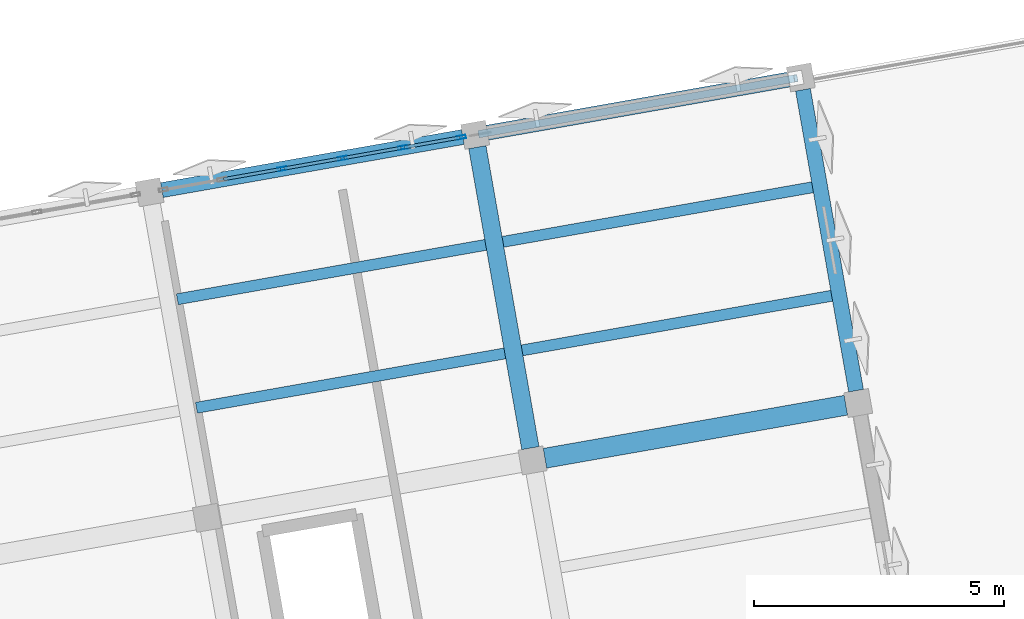
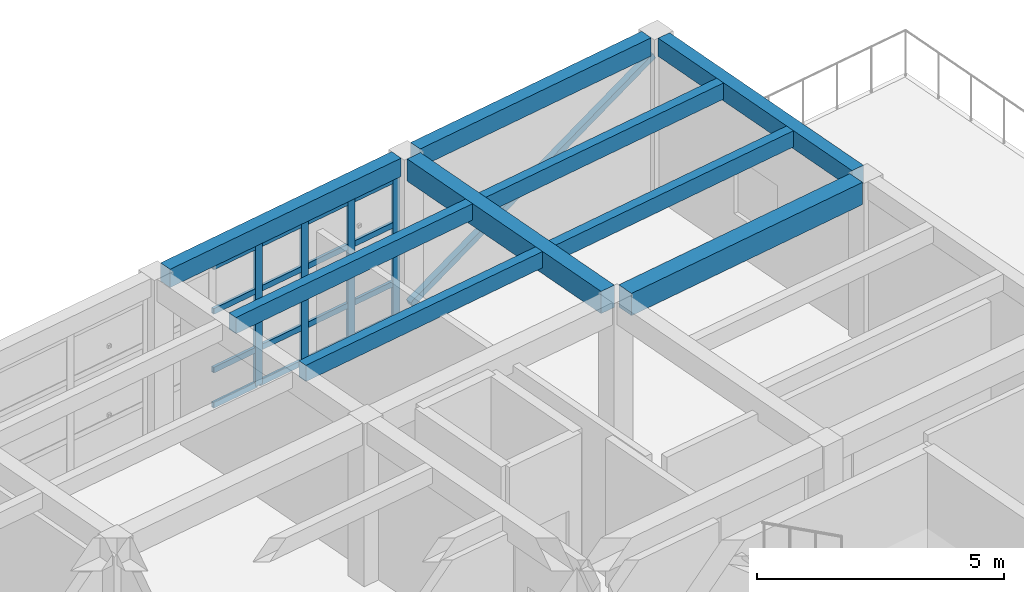
# One storey, part 7 of 13: 21 members, 9 beams, 1 element without a shape of its own.
"""IFC4 building model written with IfcOpenShell, lengths in metres."""

from ifc_helpers import new_model, si_unit, direction, frame, origin, origin_2d, place, context, subcontext, project, spatial, rectangle, hollow_rectangle, extrude, material, layer, layer_set, material_profile, profile_set, type_object, element, aggregate, save


model = new_model("IFC4")

# Units and contexts
model_context = context("Model", 3, precision=1e-05, world=origin(), true_north=direction((0.0, 1.0)))
body_context = subcontext(model_context, "Body", "Model", "MODEL_VIEW")
ifc_project = project(units=[si_unit("LENGTHUNIT", "METRE"), si_unit("AREAUNIT", "SQUARE_METRE"), si_unit("VOLUMEUNIT", "CUBIC_METRE"), si_unit("PLANEANGLEUNIT", "RADIAN"), si_unit("MASSUNIT", "GRAM", prefix="KILO")], contexts=[model_context])

# Site, building, storey
site_placement = place(None, origin())
site = spatial("IfcSite", under=ifc_project, at=site_placement, CompositionType="ELEMENT")
building_placement = place(site_placement, origin())
building = spatial("IfcBuilding", under=site, at=building_placement, Name="Kharisveld Research Institute", CompositionType="ELEMENT")
storey_placement = place(building_placement, frame((0.0, 0.0, 45.0)))
storey = spatial("IfcBuildingStorey", under=building, at=storey_placement, Name="L10", CompositionType="ELEMENT", Elevation=45.0)

# Beams
ifc_material_1 = material(Name="Concrete C40/50", Category="concrete")
ifc_material_profile_1 = material_profile(ifc_material_1, rectangle(XDim=0.35009765625, YDim=0.550048828125, at=origin_2d()))
ifc_profile_set_1 = profile_set([ifc_material_profile_1], Name="Concrete C40/50")
beam_type_1 = type_object("IfcBeamType", Name="BM_RC_350x550", PredefinedType="BEAM", material=ifc_profile_set_1)
beam_1_placement = place(storey_placement, frame((22.363525390625, 51.69384765625, 3.7451171875), z_axis=(-0.173620940611, 0.984812555252, 0.0), x_axis=(-0.984812555252, -0.173620940611, 0.0)))
element("IfcBeam", 1, at=beam_1_placement, inside=storey, type_object=beam_type_1, Name="BM:V1:L10:V3_2", PredefinedType="BEAM", context=body_context, shape_type="SweptSolid", body=[
    extrude(rectangle(XDim=0.35009765625, YDim=0.550048828125, at=origin_2d()), origin(), (0.0, 0.0, 1.0), 6.099853515625),
])
ifc_material_2 = material(Name="Concrete C40/50", Category="concrete")
ifc_material_profile_2 = material_profile(ifc_material_2, rectangle(XDim=0.39990234375, YDim=0.550048828125, at=origin_2d()))
ifc_profile_set_2 = profile_set([ifc_material_profile_2], Name="Concrete C40/50")
beam_type_2 = type_object("IfcBeamType", Name="BM_RC_400x550", PredefinedType="BEAM", material=ifc_profile_set_2)
beam_2_placement = place(storey_placement, frame((22.6533203125, 51.4912109375, 3.7451171875), z_axis=(0.984812555252, 0.173620940611, 0.0), x_axis=(-0.173620940611, 0.984812555252, 0.0)))
element("IfcBeam", 2, at=beam_2_placement, inside=storey, type_object=beam_type_2, Name="BM:V1:L10:U3_2", PredefinedType="BEAM", context=body_context, shape_type="SweptSolid", body=[
    extrude(rectangle(XDim=0.39990234375, YDim=0.550048828125, at=origin_2d()), origin(), (0.0, 0.0, 1.0), 6.099853515625),
])

# Member
ifc_material_3 = material(Name="Steel S355J2H", Category="steel")
ifc_material_profile_3 = material_profile(ifc_material_3, hollow_rectangle(XDim=0.14990234375, YDim=0.14990234375, WallThickness=0.008056640625, at=origin_2d()))
ifc_profile_set_3 = profile_set([ifc_material_profile_3], Name="Steel S355J2H")
member_type_1 = type_object("IfcMemberType", Name="BR_SHS150", PredefinedType="BRACE", material=ifc_profile_set_3)
member_1_placement = place(storey_placement, frame((21.359375, 57.96484375, 0.199951171875), z_axis=(0.876966834258, 0.154630966437, 0.454992786569), x_axis=(-0.173646056486, 0.984808127031, 0.0)))
element("IfcMember", 3, at=member_1_placement, inside=storey, type_object=member_type_1, Name="MEM:V1:L10:BR_3_3", PredefinedType="BRACE", context=body_context, shape_type="SweptSolid", body=[
    extrude(hollow_rectangle(XDim=0.14990234375, YDim=0.14990234375, WallThickness=0.008056640625, at=origin_2d()), origin(), (0.0, 0.0, 1.0), 7.18701171875),
])

# Curtain wall, members
ifc_material_4 = material(Name="Thermally Broken Aluminium Curtain Wall", Category="aluminium")
ifc_layer = layer(ifc_material_4, 0.159912109375)
ifc_layer_set = layer_set([ifc_layer], Name="CW_SYS_01")
curtain_wall_type = type_object("IfcCurtainWallType", Name="CW_SYS_01", PredefinedType="NOTDEFINED", material=ifc_layer_set)
curtain_wall_placement = place(storey_placement, origin())
curtain_wall = element("IfcCurtainWall", 4, at=curtain_wall_placement, inside=storey, type_object=curtain_wall_type, Name="CW:V1:L10:N2", PredefinedType="NOTDEFINED")
ifc_material_5 = material(Name="Anodised Aluminium AW-6063-T6", Category="aluminium")
ifc_material_profile_4 = material_profile(ifc_material_5, hollow_rectangle(XDim=0.070068359375, YDim=0.179931640625, WallThickness=0.00439453125, at=origin_2d()))
ifc_profile_set_4 = profile_set([ifc_material_profile_4], Name="Anodised Aluminium AW-6063-T6")
member_type_2 = type_object("IfcMemberType", Name="CW_MUL_180", PredefinedType="MULLION", material=ifc_profile_set_4)
member_2_placement = place(storey_placement, frame((17.409423828125, 57.268310546875, 0.0), z_axis=(0.0, 0.0, 1.0), x_axis=(-0.173648102039, 0.984807766347, 0.0)))
member_2 = element("IfcMember", 5, at=member_2_placement, type_object=member_type_2, Name="CW-01 mullion 3", PredefinedType="MULLION", context=body_context, shape_type="SweptSolid", body=[
    extrude(hollow_rectangle(XDim=0.070068359375, YDim=0.179931640625, WallThickness=0.00439453125, at=origin_2d()), origin(), (0.0, 0.0, 1.0), 3.47998046875),
])
member_3_placement = place(storey_placement, frame((18.61279296875, 57.48046875, 0.0), z_axis=(0.0, 0.0, 1.0), x_axis=(-0.173648102039, 0.984807766347, 0.0)))
member_3 = element("IfcMember", 6, at=member_3_placement, type_object=member_type_2, Name="CW-01 mullion 4", PredefinedType="MULLION", context=body_context, shape_type="SweptSolid", body=[
    extrude(hollow_rectangle(XDim=0.070068359375, YDim=0.179931640625, WallThickness=0.00439453125, at=origin_2d()), origin(), (0.0, 0.0, 1.0), 3.47998046875),
])
member_4_placement = place(storey_placement, frame((19.816162109375, 57.692626953125, 0.0), z_axis=(0.0, 0.0, 1.0), x_axis=(-0.173648102039, 0.984807766347, 0.0)))
member_4 = element("IfcMember", 7, at=member_4_placement, type_object=member_type_2, Name="CW-01 mullion 5", PredefinedType="MULLION", context=body_context, shape_type="SweptSolid", body=[
    extrude(hollow_rectangle(XDim=0.070068359375, YDim=0.179931640625, WallThickness=0.00439453125, at=origin_2d()), origin(), (0.0, 0.0, 1.0), 3.47998046875),
])
member_5_placement = place(storey_placement, frame((20.985107421875, 57.89892578125, 0.0), z_axis=(0.0, 0.0, 1.0), x_axis=(-0.173648102039, 0.984807766347, 0.0)))
member_5 = element("IfcMember", 8, at=member_5_placement, type_object=member_type_2, Name="CW-01 mullion 6", PredefinedType="MULLION", context=body_context, shape_type="SweptSolid", body=[
    extrude(hollow_rectangle(XDim=0.070068359375, YDim=0.179931640625, WallThickness=0.00439453125, at=origin_2d()), origin(), (0.0, 0.0, 1.0), 3.47998046875),
])
ifc_material_6 = material(Name="Anodised Aluminium AW-6063-T6", Category="aluminium")
ifc_material_profile_5 = material_profile(ifc_material_6, hollow_rectangle(XDim=0.06494140625, YDim=0.139892578125, WallThickness=0.00390625, at=origin_2d()))
ifc_profile_set_5 = profile_set([ifc_material_profile_5], Name="Anodised Aluminium AW-6063-T6")
member_type_3 = type_object("IfcMemberType", Name="CW_TRN_140", PredefinedType="USERDEFINED", material=ifc_profile_set_5)
member_6_placement = place(storey_placement, frame((16.240478515625, 57.062255859375, 0.032470703125), z_axis=(0.984821937543, 0.173567713976, 0.0), x_axis=(-0.173567713976, 0.984821937543, 0.0)))
member_6 = element("IfcMember", 9, at=member_6_placement, type_object=member_type_3, Name="CW-01 transom 2.1", ObjectType="TRANSOM", PredefinedType="USERDEFINED", context=body_context, shape_type="SweptSolid", body=[
    extrude(hollow_rectangle(XDim=0.06494140625, YDim=0.139892578125, WallThickness=0.00390625, at=origin_2d()), origin(), (0.0, 0.0, 1.0), 1.152099609375),
])
member_7_placement = place(storey_placement, frame((16.240478515625, 57.062255859375, 0.89990234375), z_axis=(0.984821937543, 0.173567713976, 0.0), x_axis=(-0.173567713976, 0.984821937543, 0.0)))
member_7 = element("IfcMember", 10, at=member_7_placement, type_object=member_type_3, Name="CW-01 transom 2.2", ObjectType="TRANSOM", PredefinedType="USERDEFINED", context=body_context, shape_type="SweptSolid", body=[
    extrude(hollow_rectangle(XDim=0.06494140625, YDim=0.139892578125, WallThickness=0.00390625, at=origin_2d()), origin(), (0.0, 0.0, 1.0), 1.152099609375),
])
member_8_placement = place(storey_placement, frame((16.240478515625, 57.062255859375, 2.35009765625), z_axis=(0.984821937543, 0.173567713976, 0.0), x_axis=(-0.173567713976, 0.984821937543, 0.0)))
member_8 = element("IfcMember", 11, at=member_8_placement, type_object=member_type_3, Name="CW-01 transom 2.3", ObjectType="TRANSOM", PredefinedType="USERDEFINED", context=body_context, shape_type="SweptSolid", body=[
    extrude(hollow_rectangle(XDim=0.06494140625, YDim=0.139892578125, WallThickness=0.00390625, at=origin_2d()), origin(), (0.0, 0.0, 1.0), 1.152099609375),
])
member_9_placement = place(storey_placement, frame((16.240478515625, 57.062255859375, 3.447509765625), z_axis=(0.984821937543, 0.173567713976, 0.0), x_axis=(-0.173567713976, 0.984821937543, 0.0)))
member_9 = element("IfcMember", 12, at=member_9_placement, type_object=member_type_3, Name="CW-01 transom 2.4", ObjectType="TRANSOM", PredefinedType="USERDEFINED", context=body_context, shape_type="SweptSolid", body=[
    extrude(hollow_rectangle(XDim=0.06494140625, YDim=0.139892578125, WallThickness=0.00390625, at=origin_2d()), origin(), (0.0, 0.0, 1.0), 1.152099609375),
])
member_10_placement = place(storey_placement, frame((17.44384765625, 57.2744140625, 0.032470703125), z_axis=(0.984821937543, 0.173567713976, 0.0), x_axis=(-0.173567713976, 0.984821937543, 0.0)))
member_10 = element("IfcMember", 13, at=member_10_placement, type_object=member_type_3, Name="CW-01 transom 3.1", ObjectType="TRANSOM", PredefinedType="USERDEFINED", context=body_context, shape_type="SweptSolid", body=[
    extrude(hollow_rectangle(XDim=0.06494140625, YDim=0.139892578125, WallThickness=0.00390625, at=origin_2d()), origin(), (0.0, 0.0, 1.0), 1.152099609375),
])
member_11_placement = place(storey_placement, frame((17.44384765625, 57.2744140625, 0.89990234375), z_axis=(0.984821937543, 0.173567713976, 0.0), x_axis=(-0.173567713976, 0.984821937543, 0.0)))
member_11 = element("IfcMember", 14, at=member_11_placement, type_object=member_type_3, Name="CW-01 transom 3.2", ObjectType="TRANSOM", PredefinedType="USERDEFINED", context=body_context, shape_type="SweptSolid", body=[
    extrude(hollow_rectangle(XDim=0.06494140625, YDim=0.139892578125, WallThickness=0.00390625, at=origin_2d()), origin(), (0.0, 0.0, 1.0), 1.152099609375),
])
member_12_placement = place(storey_placement, frame((17.44384765625, 57.2744140625, 2.35009765625), z_axis=(0.984821937543, 0.173567713976, 0.0), x_axis=(-0.173567713976, 0.984821937543, 0.0)))
member_12 = element("IfcMember", 15, at=member_12_placement, type_object=member_type_3, Name="CW-01 transom 3.3", ObjectType="TRANSOM", PredefinedType="USERDEFINED", context=body_context, shape_type="SweptSolid", body=[
    extrude(hollow_rectangle(XDim=0.06494140625, YDim=0.139892578125, WallThickness=0.00390625, at=origin_2d()), origin(), (0.0, 0.0, 1.0), 1.152099609375),
])
member_13_placement = place(storey_placement, frame((17.44384765625, 57.2744140625, 3.447509765625), z_axis=(0.984821937543, 0.173567713976, 0.0), x_axis=(-0.173567713976, 0.984821937543, 0.0)))
member_13 = element("IfcMember", 16, at=member_13_placement, type_object=member_type_3, Name="CW-01 transom 3.4", ObjectType="TRANSOM", PredefinedType="USERDEFINED", context=body_context, shape_type="SweptSolid", body=[
    extrude(hollow_rectangle(XDim=0.06494140625, YDim=0.139892578125, WallThickness=0.00390625, at=origin_2d()), origin(), (0.0, 0.0, 1.0), 1.152099609375),
])
member_14_placement = place(storey_placement, frame((18.647216796875, 57.486572265625, 0.032470703125), z_axis=(0.984821937543, 0.173567713976, 0.0), x_axis=(-0.173567713976, 0.984821937543, 0.0)))
member_14 = element("IfcMember", 17, at=member_14_placement, type_object=member_type_3, Name="CW-01 transom 4.1", ObjectType="TRANSOM", PredefinedType="USERDEFINED", context=body_context, shape_type="SweptSolid", body=[
    extrude(hollow_rectangle(XDim=0.06494140625, YDim=0.139892578125, WallThickness=0.00390625, at=origin_2d()), origin(), (0.0, 0.0, 1.0), 1.152099609375),
])
member_15_placement = place(storey_placement, frame((18.647216796875, 57.486572265625, 0.89990234375), z_axis=(0.984821937543, 0.173567713976, 0.0), x_axis=(-0.173567713976, 0.984821937543, 0.0)))
member_15 = element("IfcMember", 18, at=member_15_placement, type_object=member_type_3, Name="CW-01 transom 4.2", ObjectType="TRANSOM", PredefinedType="USERDEFINED", context=body_context, shape_type="SweptSolid", body=[
    extrude(hollow_rectangle(XDim=0.06494140625, YDim=0.139892578125, WallThickness=0.00390625, at=origin_2d()), origin(), (0.0, 0.0, 1.0), 1.152099609375),
])
member_16_placement = place(storey_placement, frame((18.647216796875, 57.486572265625, 2.35009765625), z_axis=(0.984821937543, 0.173567713976, 0.0), x_axis=(-0.173567713976, 0.984821937543, 0.0)))
member_16 = element("IfcMember", 19, at=member_16_placement, type_object=member_type_3, Name="CW-01 transom 4.3", ObjectType="TRANSOM", PredefinedType="USERDEFINED", context=body_context, shape_type="SweptSolid", body=[
    extrude(hollow_rectangle(XDim=0.06494140625, YDim=0.139892578125, WallThickness=0.00390625, at=origin_2d()), origin(), (0.0, 0.0, 1.0), 1.152099609375),
])
member_17_placement = place(storey_placement, frame((18.647216796875, 57.486572265625, 3.447509765625), z_axis=(0.984821937543, 0.173567713976, 0.0), x_axis=(-0.173567713976, 0.984821937543, 0.0)))
member_17 = element("IfcMember", 20, at=member_17_placement, type_object=member_type_3, Name="CW-01 transom 4.4", ObjectType="TRANSOM", PredefinedType="USERDEFINED", context=body_context, shape_type="SweptSolid", body=[
    extrude(hollow_rectangle(XDim=0.06494140625, YDim=0.139892578125, WallThickness=0.00390625, at=origin_2d()), origin(), (0.0, 0.0, 1.0), 1.152099609375),
])
member_18_placement = place(storey_placement, frame((19.850830078125, 57.69873046875, 0.032470703125), z_axis=(0.984783558818, 0.173785333909, 0.0), x_axis=(-0.173785333909, 0.984783558818, 0.0)))
member_18 = element("IfcMember", 21, at=member_18_placement, type_object=member_type_3, Name="CW-01 transom 5.1", ObjectType="TRANSOM", PredefinedType="USERDEFINED", context=body_context, shape_type="SweptSolid", body=[
    extrude(hollow_rectangle(XDim=0.06494140625, YDim=0.139892578125, WallThickness=0.00390625, at=origin_2d()), origin(), (0.0, 0.0, 1.0), 1.116943359375),
])
member_19_placement = place(storey_placement, frame((19.850830078125, 57.69873046875, 0.89990234375), z_axis=(0.984783558818, 0.173785333909, 0.0), x_axis=(-0.173785333909, 0.984783558818, 0.0)))
member_19 = element("IfcMember", 22, at=member_19_placement, type_object=member_type_3, Name="CW-01 transom 5.2", ObjectType="TRANSOM", PredefinedType="USERDEFINED", context=body_context, shape_type="SweptSolid", body=[
    extrude(hollow_rectangle(XDim=0.06494140625, YDim=0.139892578125, WallThickness=0.00390625, at=origin_2d()), origin(), (0.0, 0.0, 1.0), 1.116943359375),
])
member_20_placement = place(storey_placement, frame((19.850830078125, 57.69873046875, 2.35009765625), z_axis=(0.984783558818, 0.173785333909, 0.0), x_axis=(-0.173785333909, 0.984783558818, 0.0)))
member_20 = element("IfcMember", 23, at=member_20_placement, type_object=member_type_3, Name="CW-01 transom 5.3", ObjectType="TRANSOM", PredefinedType="USERDEFINED", context=body_context, shape_type="SweptSolid", body=[
    extrude(hollow_rectangle(XDim=0.06494140625, YDim=0.139892578125, WallThickness=0.00390625, at=origin_2d()), origin(), (0.0, 0.0, 1.0), 1.116943359375),
])
member_21_placement = place(storey_placement, frame((19.850830078125, 57.69873046875, 3.447509765625), z_axis=(0.984783558818, 0.173785333909, 0.0), x_axis=(-0.173785333909, 0.984783558818, 0.0)))
member_21 = element("IfcMember", 24, at=member_21_placement, type_object=member_type_3, Name="CW-01 transom 5.4", ObjectType="TRANSOM", PredefinedType="USERDEFINED", context=body_context, shape_type="SweptSolid", body=[
    extrude(hollow_rectangle(XDim=0.06494140625, YDim=0.139892578125, WallThickness=0.00390625, at=origin_2d()), origin(), (0.0, 0.0, 1.0), 1.116943359375),
])
aggregate(curtain_wall, [member_2, member_3, member_4, member_5, member_6, member_7, member_8, member_9, member_10, member_11, member_12, member_13, member_14, member_15, member_16, member_17, member_18, member_19, member_20, member_21])

# Beams
ifc_material_7 = material(Name="Concrete C40/50", Category="concrete")
ifc_material_profile_6 = material_profile(ifc_material_7, rectangle(XDim=0.300048828125, YDim=0.449951171875, at=origin_2d()))
ifc_profile_set_6 = profile_set([ifc_material_profile_6], Name="Concrete C40/50")
beam_type_3 = type_object("IfcBeamType", Name="SP_RC_300x450", PredefinedType="SPANDREL", material=ifc_profile_set_6)
for number, where, z_axis, x_axis, name in (
    (25, (15.00732421875, 56.8447265625, 3.794921875), (0.984805711192, 0.173659757005, 0.0), (-0.173659757005, 0.984805711192, 0.0), "BM:V1:L10:U2_3"),
    (26, (21.507080078125, 57.99072265625, 3.794921875), (0.984805711192, 0.173659757005, 0.0), (-0.173659757005, 0.984805711192, 0.0), "BM:V1:L10:U3_3"),
):
    element("IfcBeam", number, at=place(storey_placement, frame(where, z_axis=z_axis, x_axis=x_axis)), inside=storey, type_object=beam_type_3, Name=name, PredefinedType="SPANDREL", context=body_context, shape_type="SweptSolid", body=[
        extrude(rectangle(XDim=0.300048828125, YDim=0.449951171875, at=origin_2d()), origin(), (0.0, 0.0, 1.0), 6.10009765625),
    ])
beam_3_placement = place(storey_placement, frame((28.86328125, 52.840087890625, 3.794921875), z_axis=(-0.173620940611, 0.984812555252, 0.0), x_axis=(-0.984812555252, -0.173620940611, 0.0)))
element("IfcBeam", 27, at=beam_3_placement, inside=storey, type_object=beam_type_3, Name="BM:V1:L10:V4_2", PredefinedType="SPANDREL", context=body_context, shape_type="SweptSolid", body=[
    extrude(rectangle(XDim=0.300048828125, YDim=0.449951171875, at=origin_2d()), origin(), (0.0, 0.0, 1.0), 6.099853515625),
])
ifc_material_8 = material(Name="Concrete C40/50", Category="concrete")
ifc_material_profile_7 = material_profile(ifc_material_8, rectangle(XDim=0.219970703125, YDim=0.39990234375, at=origin_2d()))
ifc_profile_set_7 = profile_set([ifc_material_profile_7], Name="Concrete C40/50")
beam_type_4 = type_object("IfcBeamType", Name="WB_RC_220x400", PredefinedType="JOIST", material=ifc_profile_set_7)
beam_4_placement = place(storey_placement, frame((15.697509765625, 52.49853515625, 3.820068359375), z_axis=(0.984804785945, 0.173665003899, 0.0), x_axis=(-0.173665003899, 0.984804785945, 0.0)))
element("IfcBeam", 28, at=beam_4_placement, inside=storey, type_object=beam_type_4, Name="BM:V1:L10:J_2_2_R1", PredefinedType="JOIST", context=body_context, shape_type="SweptSolid", body=[
    extrude(rectangle(XDim=0.219970703125, YDim=0.39990234375, at=origin_2d()), origin(), (0.0, 0.0, 1.0), 6.250244140625),
])
beam_5_placement = place(storey_placement, frame((15.315673828125, 54.6650390625, 3.820068359375), z_axis=(0.984803607817, 0.173671684596, 0.0), x_axis=(-0.173671684596, 0.984803607817, 0.0)))
element("IfcBeam", 29, at=beam_5_placement, inside=storey, type_object=beam_type_4, Name="BM:V1:L10:J_2_2_R2", PredefinedType="JOIST", context=body_context, shape_type="SweptSolid", body=[
    extrude(rectangle(XDim=0.219970703125, YDim=0.39990234375, at=origin_2d()), origin(), (0.0, 0.0, 1.0), 6.25),
])
for number, where, z_axis, x_axis, name in (
    (30, (22.197265625, 53.644775390625, 3.820068359375), (0.9848090074, 0.173641063528, 0.0), (-0.173641063528, 0.9848090074, 0.0), "BM:V1:L10:J_3_2_R1"),
    (31, (21.8154296875, 55.811279296875, 3.820068359375), (0.9848090074, 0.173641063528, 0.0), (-0.173641063528, 0.9848090074, 0.0), "BM:V1:L10:J_3_2_R2"),
):
    element("IfcBeam", number, at=place(storey_placement, frame(where, z_axis=z_axis, x_axis=x_axis)), inside=storey, type_object=beam_type_4, Name=name, PredefinedType="JOIST", context=body_context, shape_type="SweptSolid", body=[
        extrude(rectangle(XDim=0.219970703125, YDim=0.39990234375, at=origin_2d()), origin(), (0.0, 0.0, 1.0), 6.27490234375),
    ])

save(model, "model.ifc")
